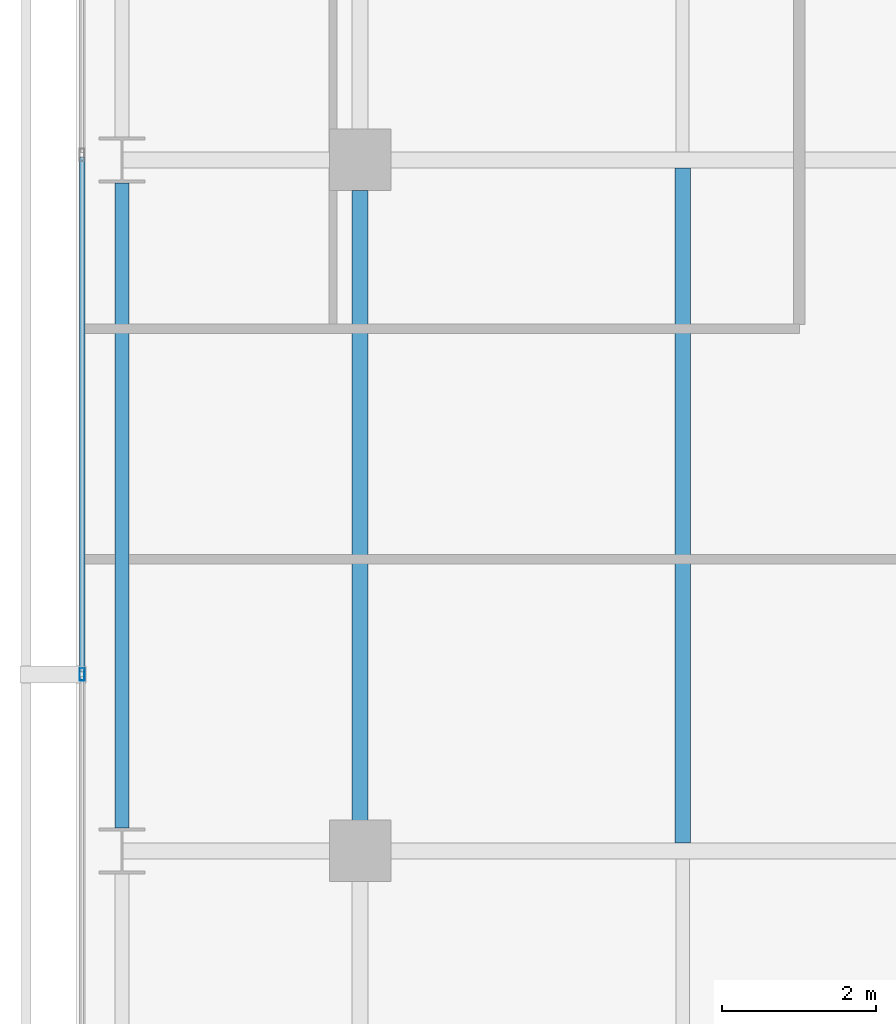
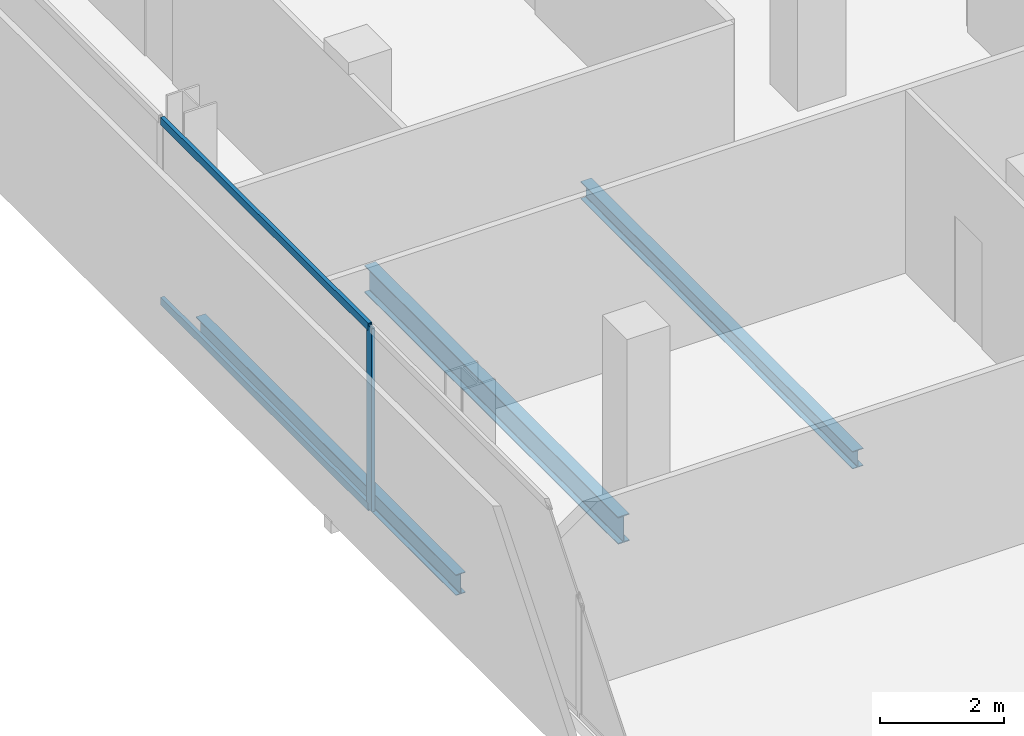
# One storey, part 10 of 33: 3 beams, 3 members, 1 element without a shape of its own.
"""IFC4 building model written with IfcOpenShell, lengths in metres."""

from ifc_helpers import new_model, si_unit, direction, frame, origin, origin_2d, place, context, subcontext, project, spatial, hollow_rectangle, i_section, extrude, material, layer, layer_set, material_profile, profile_set, type_object, element, aggregate, save


model = new_model("IFC4")

# Units and contexts
model_context = context("Model", 3, precision=1e-05, world=origin(), true_north=direction((0.0, 1.0)))
body_context = subcontext(model_context, "Body", "Model", "MODEL_VIEW")
ifc_project = project(units=[si_unit("LENGTHUNIT", "METRE"), si_unit("AREAUNIT", "SQUARE_METRE"), si_unit("VOLUMEUNIT", "CUBIC_METRE"), si_unit("PLANEANGLEUNIT", "RADIAN"), si_unit("MASSUNIT", "GRAM", prefix="KILO")], contexts=[model_context])

# Site, building, storey
site_placement = place(None, origin())
site = spatial("IfcSite", under=ifc_project, at=site_placement, CompositionType="ELEMENT")
building_placement = place(site_placement, origin())
building = spatial("IfcBuilding", under=site, at=building_placement, Name="Maruvema Waterfront Hotel and Observation Tower", CompositionType="ELEMENT")
storey_placement = place(building_placement, frame((0.0, 0.0, 196.699951171875)))
storey = spatial("IfcBuildingStorey", under=building, at=storey_placement, Name="L48", CompositionType="ELEMENT", Elevation=196.699951171875)

# Curtain wall, members
ifc_material_1 = material(Name="Anodised bronze aluminium and solar-control low-E IGU", Category="aluminium")
ifc_layer = layer(ifc_material_1, 0.159912109375, Name="Zone 2 Amber Inner Thermal Curtain Wall System CW-03")
ifc_layer_set = layer_set([ifc_layer], Name="Anodised bronze aluminium and solar-control low-E IGU")
curtain_wall_type = type_object("IfcCurtainWallType", Name="Zone 2 Amber Inner Thermal Curtain Wall System CW-03", PredefinedType="USERDEFINED", material=ifc_layer_set)
curtain_wall_placement = place(storey_placement, origin())
curtain_wall = element("IfcCurtainWall", 1, at=curtain_wall_placement, inside=storey, type_object=curtain_wall_type, Name="L48 Curtain Wall CW-L48-W", ObjectType="UNITISED CURTAIN WALL", PredefinedType="USERDEFINED")
ifc_material_2 = material(Name="Anodised architectural bronze aluminium", Category="aluminium")
ifc_material_profile_1 = material_profile(ifc_material_2, hollow_rectangle(XDim=0.070068359375, YDim=0.14990234375, WallThickness=0.00390625, at=origin_2d()), Name="ALU-T70x150")
ifc_profile_set_1 = profile_set([ifc_material_profile_1], Name="Anodised architectural bronze aluminium")
member_type_1 = type_object("IfcMemberType", Name="Curtain Wall Horizontal Transom ALU-T70x150", PredefinedType="USERDEFINED", material=ifc_profile_set_1)
member_1_placement = place(storey_placement, frame((13.179931640625, 36.03662109375, 0.030029296875), z_axis=(0.0, -1.0, 0.0), x_axis=(1.0, 0.0, 0.0)))
member_1 = element("IfcMember", 2, at=member_1_placement, type_object=member_type_1, Name="CW-03 transom 3.1", ObjectType="TRANSOM", PredefinedType="USERDEFINED", context=body_context, shape_type="SweptSolid", body=[
    extrude(hollow_rectangle(XDim=0.070068359375, YDim=0.14990234375, WallThickness=0.00390625, at=origin_2d()), origin(), (0.0, 0.0, 1.0), 6.70654296875),
])
member_2_placement = place(storey_placement, frame((13.179931640625, 36.03662109375, 3.580078125), z_axis=(0.0, -1.0, 0.0), x_axis=(1.0, 0.0, 0.0)))
member_2 = element("IfcMember", 3, at=member_2_placement, type_object=member_type_1, Name="CW-03 transom 3.2", ObjectType="TRANSOM", PredefinedType="USERDEFINED", context=body_context, shape_type="SweptSolid", body=[
    extrude(hollow_rectangle(XDim=0.070068359375, YDim=0.14990234375, WallThickness=0.00390625, at=origin_2d()), origin(), (0.0, 0.0, 1.0), 6.70654296875),
])
ifc_material_3 = material(Name="Anodised architectural bronze aluminium", Category="aluminium")
ifc_material_profile_2 = material_profile(ifc_material_3, hollow_rectangle(XDim=0.06494140625, YDim=0.1650390625, WallThickness=0.00390625, at=origin_2d()), Name="ALU-M65x165")
ifc_profile_set_2 = profile_set([ifc_material_profile_2], Name="Anodised architectural bronze aluminium")
member_type_2 = type_object("IfcMemberType", Name="Curtain Wall Primary Mullion ALU-M65x165", PredefinedType="MULLION", material=ifc_profile_set_2)
member_3_placement = place(storey_placement, frame((13.179931640625, 29.300048828125, 0.0), z_axis=(0.0, 0.0, 1.0), x_axis=(1.0, 0.0, 0.0)))
member_3 = element("IfcMember", 4, at=member_3_placement, type_object=member_type_2, Name="CW-03 mullion 4", PredefinedType="MULLION", context=body_context, shape_type="SweptSolid", body=[
    extrude(hollow_rectangle(XDim=0.06494140625, YDim=0.1650390625, WallThickness=0.00390625, at=origin_2d()), origin(), (0.0, 0.0, 1.0), 3.610107421875),
])
aggregate(curtain_wall, [member_3, member_1, member_2])

# Beams
ifc_material_4 = material(Name="Steel ASTM A572 Grade 50", Category="steel")
ifc_material_profile_3 = material_profile(ifc_material_4, i_section(OverallWidth=0.178955078125, OverallDepth=0.409912109375, WebThickness=0.0087890625, FlangeThickness=0.014404296875, FilletRadius=0.014892578125, at=origin_2d()), Name="W410x67.0")
ifc_profile_set_3 = profile_set([ifc_material_profile_3], Name="Steel ASTM A572 Grade 50")
beam_type_1 = type_object("IfcBeamType", Name="Perimeter Spandrel Beam W410x67.0", PredefinedType="SPANDREL", material=ifc_profile_set_3)
beam_1_placement = place(storey_placement, frame((13.699951171875, 27.300048828125, -0.445068359375), z_axis=(0.0, 1.0, 0.0), x_axis=(-1.0, 0.0, 0.0)))
element("IfcBeam", 5, at=beam_1_placement, inside=storey, type_object=beam_type_1, Name="L48 Floor Girder NS-03", PredefinedType="SPANDREL", context=body_context, shape_type="SweptSolid", body=[
    extrude(i_section(OverallWidth=0.178955078125, OverallDepth=0.409912109375, WebThickness=0.0087890625, FlangeThickness=0.014404296875, FilletRadius=0.014892578125, at=origin_2d()), origin(), (0.0, 0.0, 1.0), 8.39990234375),
])
ifc_material_5 = material(Name="Steel ASTM A572 Grade 50", Category="steel")
ifc_material_profile_4 = material_profile(ifc_material_5, i_section(OverallWidth=0.2109375, OverallDepth=0.5390625, WebThickness=0.01171875, FlangeThickness=0.018798828125, FilletRadius=0.014892578125, at=origin_2d()), Name="W530x109.0")
ifc_profile_set_4 = profile_set([ifc_material_profile_4], Name="Steel ASTM A572 Grade 50")
beam_type_2 = type_object("IfcBeamType", Name="Primary Floor Girder W530x109.0", PredefinedType="BEAM", material=ifc_profile_set_4)
beam_2_placement = place(storey_placement, frame((16.800048828125, 27.39990234375, -0.509521484375), z_axis=(0.0, 1.0, 0.0), x_axis=(-1.0, 0.0, 0.0)))
element("IfcBeam", 6, at=beam_2_placement, inside=storey, type_object=beam_type_2, Name="L48 Floor Girder NS-07", PredefinedType="BEAM", context=body_context, shape_type="SweptSolid", body=[
    extrude(i_section(OverallWidth=0.2109375, OverallDepth=0.5390625, WebThickness=0.01171875, FlangeThickness=0.018798828125, FilletRadius=0.014892578125, at=origin_2d()), origin(), (0.0, 0.0, 1.0), 8.2001953125),
])
ifc_material_6 = material(Name="Steel ASTM A572 Grade 50", Category="steel")
ifc_material_profile_5 = material_profile(ifc_material_6, i_section(OverallWidth=0.202880859375, OverallDepth=0.346923828125, WebThickness=0.0078125, FlangeThickness=0.013427734375, FilletRadius=0.014892578125, at=origin_2d()), Name="W360x64.0")
ifc_profile_set_5 = profile_set([ifc_material_profile_5], Name="Steel ASTM A572 Grade 50")
beam_type_3 = type_object("IfcBeamType", Name="Secondary Floor Joist W360x64.0", PredefinedType="JOIST", material=ifc_profile_set_5)
beam_3_placement = place(storey_placement, frame((21.0, 27.10546875, -0.413330078125), z_axis=(0.0, 1.0, 0.0), x_axis=(-1.0, 0.0, 0.0)))
element("IfcBeam", 7, at=beam_3_placement, inside=storey, type_object=beam_type_3, Name="L48 Secondary Floor Joist JS-03", PredefinedType="JOIST", context=body_context, shape_type="SweptSolid", body=[
    extrude(i_section(OverallWidth=0.202880859375, OverallDepth=0.346923828125, WebThickness=0.0078125, FlangeThickness=0.013427734375, FilletRadius=0.014892578125, at=origin_2d()), origin(), (0.0, 0.0, 1.0), 8.7890625),
])

save(model, "model.ifc")
